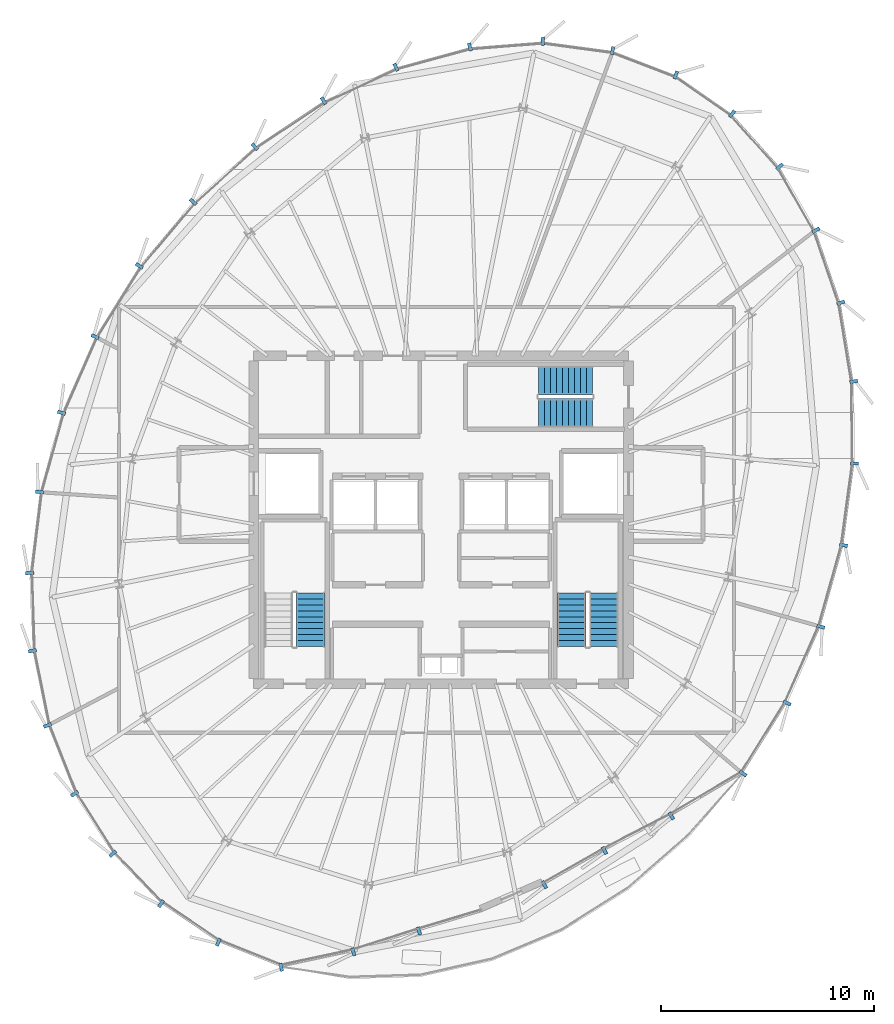
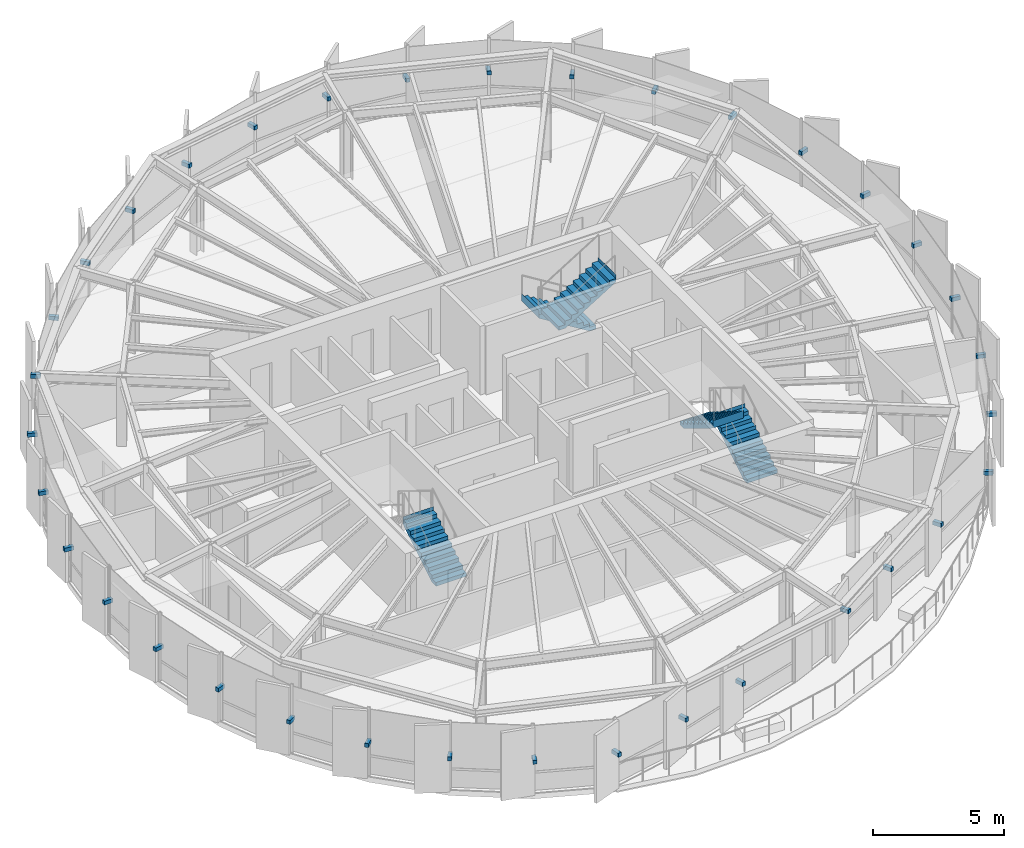
# One storey, part 27 of 31: 35 discrete accessories, 5 stair flights, 3 elements without a shape of their own.
"""IFC4 building model written with IfcOpenShell, lengths in metres."""

from ifc_helpers import new_model, si_unit, direction, frame, origin, origin_2d, place, context, subcontext, project, spatial, polyline, rectangle, outline, extrude, source, transform, mapped, material, type_object, element, aggregate, save


model = new_model("IFC4")

# Units and contexts
model_context = context("Model", 3, precision=1e-05, world=origin(), true_north=direction((0.0, 1.0)))
body_context = subcontext(model_context, "Body", "Model", "MODEL_VIEW")
ifc_project = project(units=[si_unit("LENGTHUNIT", "METRE"), si_unit("AREAUNIT", "SQUARE_METRE"), si_unit("VOLUMEUNIT", "CUBIC_METRE"), si_unit("PLANEANGLEUNIT", "RADIAN"), si_unit("MASSUNIT", "GRAM", prefix="KILO"), si_unit("THERMODYNAMICTEMPERATUREUNIT", "KELVIN")], contexts=[model_context])

# Site, building, storey
site_placement = place(None, origin())
site = spatial("IfcSite", under=ifc_project, at=site_placement, CompositionType="ELEMENT")
building_placement = place(site_placement, origin())
building = spatial("IfcBuilding", under=site, at=building_placement, Name="Kethvar Cultural Tower", CompositionType="ELEMENT")
storey_placement = place(building_placement, frame((0.0, 0.0, 283.60009765625)))
storey = spatial("IfcBuildingStorey", under=building, at=storey_placement, Name="L75", CompositionType="ELEMENT", Elevation=283.60009765625)

# Stair, stair flight
ifc_material_1 = material(Name="Concrete C40/50", Category="concrete")
stair_type = type_object("IfcStairType", Name="ST-DOGLEG-135", PredefinedType="HALF_TURN_STAIR", material=ifc_material_1)
stair_1_placement = place(storey_placement, origin())
stair_1 = element("IfcStair", 1, at=stair_1_placement, inside=storey, type_object=stair_type, Name="L75 Core Exit Stair 1", PredefinedType="HALF_TURN_STAIR")
stair_flight_type = type_object("IfcStairFlightType", Name="FL-STRAIGHT-135", PredefinedType="STRAIGHT", material=ifc_material_1)
stair_flight_1_placement = place(storey_placement, frame((40.675048828125, 21.85009765625, 0.0), z_axis=(0.0, 0.0, 1.0), x_axis=(0.0, 1.0, 0.0)))
stair_flight_1 = element("IfcStairFlight", 2, at=stair_flight_1_placement, type_object=stair_flight_type, Name="ST-01 flight 1", NumberOfRisers=10, NumberOfTreads=9, PredefinedType="STRAIGHT", RiserHeight=0.1725, TreadLength=0.28, context=body_context, shape_type="SweptSolid", body=[
    extrude(outline(polyline([(-0.0009765625, -0.0009765625), (-0.0009765625, 0.172607421875), (0.280029296875, 0.172607421875), (0.280029296875, 0.344970703125), (0.56005859375, 0.344970703125), (0.56005859375, 0.517578125), (0.840087890625, 0.517578125), (0.840087890625, 0.68994140625), (1.1201171875, 0.68994140625), (1.1201171875, 0.862548828125), (1.39990234375, 0.862548828125), (1.39990234375, 1.034912109375), (1.679931640625, 1.034912109375), (1.679931640625, 1.20751953125), (1.9599609375, 1.20751953125), (1.9599609375, 1.3798828125), (2.239990234375, 1.3798828125), (2.239990234375, 1.552490234375), (2.52001953125, 1.552490234375), (2.52001953125, 1.72509765625), (2.52099609375, 1.72509765625), (2.52099609375, 1.37646484375), (0.285888671875, 0.0), (0.0, -0.0009765625), (-0.0009765625, -0.0009765625)])), frame((0.0, 0.675048828125, 0.0), z_axis=(0.0, -1.0, 0.0), x_axis=(1.0, 0.0, 0.0)), (0.0, 0.0, 1.0), 1.35009765625),
])
aggregate(stair_1, [stair_flight_1])

# Stair, stair flights
stair_2_placement = place(storey_placement, origin())
stair_2 = element("IfcStair", 3, at=stair_2_placement, inside=storey, type_object=stair_type, Name="L75 Core Exit Stair 2", PredefinedType="HALF_TURN_STAIR")
stair_flight_2_placement = place(storey_placement, frame((54.43505859375, 21.85009765625, 0.0), z_axis=(0.0, 0.0, 1.0), x_axis=(0.0, 1.0, 0.0)))
stair_flight_2 = element("IfcStairFlight", 4, at=stair_flight_2_placement, type_object=stair_flight_type, Name="ST-02 flight 1", NumberOfRisers=10, NumberOfTreads=9, PredefinedType="STRAIGHT", RiserHeight=0.1725, TreadLength=0.28, context=body_context, shape_type="SweptSolid", body=[
    extrude(outline(polyline([(-0.0009765625, -0.0009765625), (-0.0009765625, 0.172607421875), (0.280029296875, 0.172607421875), (0.280029296875, 0.344970703125), (0.56005859375, 0.344970703125), (0.56005859375, 0.517578125), (0.840087890625, 0.517578125), (0.840087890625, 0.68994140625), (1.1201171875, 0.68994140625), (1.1201171875, 0.862548828125), (1.39990234375, 0.862548828125), (1.39990234375, 1.034912109375), (1.679931640625, 1.034912109375), (1.679931640625, 1.20751953125), (1.9599609375, 1.20751953125), (1.9599609375, 1.3798828125), (2.239990234375, 1.3798828125), (2.239990234375, 1.552490234375), (2.52001953125, 1.552490234375), (2.52001953125, 1.72509765625), (2.52099609375, 1.72509765625), (2.52099609375, 1.37646484375), (0.285888671875, 0.0), (0.0, -0.0009765625), (-0.0009765625, -0.0009765625)])), frame((0.0, 0.675048828125, 0.0), z_axis=(0.0, -1.0, 0.0), x_axis=(1.0, 0.0, 0.0)), (0.0, 0.0, 1.0), 1.35009765625),
])
stair_flight_3_placement = place(storey_placement, frame((52.925048828125, 24.3701171875, 1.724853515625), z_axis=(0.0, 0.0, 1.0), x_axis=(0.0, -1.0, 0.0)))
stair_flight_3 = element("IfcStairFlight", 5, at=stair_flight_3_placement, type_object=stair_flight_type, Name="ST-02 flight 2", NumberOfRisers=10, NumberOfTreads=9, PredefinedType="STRAIGHT", RiserHeight=0.1725, TreadLength=0.28, context=body_context, shape_type="SweptSolid", body=[
    extrude(outline(polyline([(-0.0009765625, -0.0009765625), (-0.0009765625, 0.172607421875), (0.280029296875, 0.172607421875), (0.280029296875, 0.344970703125), (0.56005859375, 0.344970703125), (0.56005859375, 0.517578125), (0.840087890625, 0.517578125), (0.840087890625, 0.68994140625), (1.1201171875, 0.68994140625), (1.1201171875, 0.862548828125), (1.39990234375, 0.862548828125), (1.39990234375, 1.034912109375), (1.679931640625, 1.034912109375), (1.679931640625, 1.20751953125), (1.9599609375, 1.20751953125), (1.9599609375, 1.3798828125), (2.239990234375, 1.3798828125), (2.239990234375, 1.552490234375), (2.52001953125, 1.552490234375), (2.52001953125, 1.72509765625), (2.52099609375, 1.72509765625), (2.52099609375, 1.37646484375), (0.285888671875, 0.0), (0.0, -0.0009765625), (-0.0009765625, -0.0009765625)])), frame((0.0, 0.675048828125, 0.0), z_axis=(0.0, -1.0, 0.0), x_axis=(1.0, 0.0, 0.0)), (0.0, 0.0, 1.0), 1.35009765625),
])
aggregate(stair_2, [stair_flight_2, stair_flight_3])

stair_3_placement = place(storey_placement, origin())
stair_3 = element("IfcStair", 6, at=stair_3_placement, inside=storey, type_object=stair_type, Name="L75 Core Exit Stair 3", PredefinedType="HALF_TURN_STAIR")
stair_flight_4_placement = place(storey_placement, frame((53.89990234375, 34.3349609375, 0.0), z_axis=(0.0, 0.0, 1.0), x_axis=(-1.0, 0.0, 0.0)))
stair_flight_4 = element("IfcStairFlight", 7, at=stair_flight_4_placement, type_object=stair_flight_type, Name="ST-03 flight 1", NumberOfRisers=10, NumberOfTreads=9, PredefinedType="STRAIGHT", RiserHeight=0.1725, TreadLength=0.28, context=body_context, shape_type="SweptSolid", body=[
    extrude(outline(polyline([(-0.0009765625, -0.0009765625), (-0.0009765625, 0.172607421875), (0.280029296875, 0.172607421875), (0.280029296875, 0.344970703125), (0.56005859375, 0.344970703125), (0.56005859375, 0.517578125), (0.840087890625, 0.517578125), (0.840087890625, 0.68994140625), (1.1201171875, 0.68994140625), (1.1201171875, 0.862548828125), (1.39990234375, 0.862548828125), (1.39990234375, 1.034912109375), (1.679931640625, 1.034912109375), (1.679931640625, 1.20751953125), (1.9599609375, 1.20751953125), (1.9599609375, 1.3798828125), (2.239990234375, 1.3798828125), (2.239990234375, 1.552490234375), (2.52001953125, 1.552490234375), (2.52001953125, 1.72509765625), (2.52099609375, 1.72509765625), (2.52099609375, 1.37646484375), (0.285888671875, 0.0), (0.0, -0.0009765625), (-0.0009765625, -0.0009765625)])), frame((0.0, 0.675048828125, 0.0), z_axis=(0.0, -1.0, 0.0), x_axis=(1.0, 0.0, 0.0)), (0.0, 0.0, 1.0), 1.35009765625),
])
stair_flight_5_placement = place(storey_placement, frame((51.3798828125, 32.824951171875, 1.724853515625), z_axis=(0.0, 0.0, 1.0), x_axis=(1.0, 0.0, 0.0)))
stair_flight_5 = element("IfcStairFlight", 8, at=stair_flight_5_placement, type_object=stair_flight_type, Name="ST-03 flight 2", NumberOfRisers=10, NumberOfTreads=9, PredefinedType="STRAIGHT", RiserHeight=0.1725, TreadLength=0.28, context=body_context, shape_type="SweptSolid", body=[
    extrude(outline(polyline([(-0.0009765625, -0.0009765625), (-0.0009765625, 0.172607421875), (0.280029296875, 0.172607421875), (0.280029296875, 0.344970703125), (0.56005859375, 0.344970703125), (0.56005859375, 0.517578125), (0.840087890625, 0.517578125), (0.840087890625, 0.68994140625), (1.1201171875, 0.68994140625), (1.1201171875, 0.862548828125), (1.39990234375, 0.862548828125), (1.39990234375, 1.034912109375), (1.679931640625, 1.034912109375), (1.679931640625, 1.20751953125), (1.9599609375, 1.20751953125), (1.9599609375, 1.3798828125), (2.239990234375, 1.3798828125), (2.239990234375, 1.552490234375), (2.52001953125, 1.552490234375), (2.52001953125, 1.72509765625), (2.52099609375, 1.72509765625), (2.52099609375, 1.37646484375), (0.285888671875, 0.0), (0.0, -0.0009765625), (-0.0009765625, -0.0009765625)])), frame((0.0, 0.675048828125, 0.0), z_axis=(0.0, -1.0, 0.0), x_axis=(1.0, 0.0, 0.0)), (0.0, 0.0, 1.0), 1.35009765625),
])
aggregate(stair_3, [stair_flight_4, stair_flight_5])

# Discrete accessories
ifc_material_2 = material(Name="Steel S355J2", Category="steel")
discrete_accessory_type = type_object("IfcDiscreteAccessoryType", Name="Steel Fin Bracket BRK-01", PredefinedType="BRACKET", material=ifc_material_2)
shared_shape = source(origin(), body_context, "Body", "SweptSolid", [
    extrude(rectangle(XDim=0.3798828125, YDim=0.159912109375, at=origin_2d()), origin(), (0.0, 0.0, 1.0), 0.179931640625),
])
for number, where, z_axis, x_axis, name in (
    (9, (57.818359375, 48.688720703125, 1.51513671875), (0.0, 0.0, 1.0), (0.358530884609, 0.933517865272, 0.0), "L75 Terracotta Fin Bracket 1.1"),
    (10, (54.849609375, 49.82861328125, 1.51513671875), (0.0, 0.0, 1.0), (0.133813224182, 0.991006569622, 0.0), "L75 Terracotta Fin Bracket 1.2"),
    (11, (51.5810546875, 50.26953125, 1.51513671875), (0.0, 0.0, 1.0), (-0.078111101158, 0.996944660388, 0.0), "L75 Terracotta Fin Bracket 1.3"),
    (12, (48.15283203125, 50.00048828125, 1.51513671875), (0.0, 0.0, 1.0), (-0.263536339841, 0.964649468762, 0.0), "L75 Terracotta Fin Bracket 1.4"),
    (13, (44.680908203125, 49.052001953125, 1.51513671875), (0.0, 0.0, 1.0), (-0.420719169633, 0.907190928252, 0.0), "L75 Terracotta Fin Bracket 1.5"),
    (14, (41.283447265625, 47.47607421875, 1.51513671875), (0.0, 0.0, 1.0), (-0.553682259884, 0.832728019878, 0.0), "L75 Terracotta Fin Bracket 1.6"),
    (15, (38.048095703125, 45.319091796875, 1.51513671875), (0.0, 0.0, 1.0), (-0.667312765281, 0.744777599887, 0.0), "L75 Terracotta Fin Bracket 2.1"),
    (16, (35.16015625, 42.731201171875, 1.51513671875), (0.0, 0.0, 1.0), (-0.765146195875, 0.643856582585, 0.0), "L75 Terracotta Fin Bracket 2.2"),
    (17, (32.6298828125, 39.72412109375, 1.51513671875), (0.0, 0.0, 1.0), (-0.848140571599, 0.529771243848, 0.0), "L75 Terracotta Fin Bracket 2.3"),
    (18, (30.554443359375, 36.400634765625, 1.51513671875), (0.0, 0.0, 1.0), (-0.91495966785, 0.403545296352, 0.0), "L75 Terracotta Fin Bracket 2.4"),
    (19, (28.979736328125, 32.82958984375, 1.51513671875), (0.0, 0.0, 1.0), (-0.963583796636, 0.267406557249, 0.0), "L75 Terracotta Fin Bracket 2.5"),
    (20, (27.9462890625, 29.10546875, 1.51513671875), (0.0, 0.0, 1.0), (-0.992588631597, 0.121522872021, 0.0), "L75 Terracotta Fin Bracket 2.6"),
    (21, (27.48681640625, 25.305908203125, 1.51513671875), (0.0, 0.0, 1.0), (-0.999414947917, -0.034201781837, 0.0), "L75 Terracotta Fin Bracket 3.1"),
    (22, (27.61181640625, 21.652587890625, 1.51513671875), (0.0, 0.0, 1.0), (-0.980132944892, -0.198341650538, 0.0), "L75 Terracotta Fin Bracket 3.2"),
    (23, (28.32080078125, 18.14990234375, 1.51513671875), (0.0, 0.0, 1.0), (-0.929776485888, -0.368124552685, 0.0), "L75 Terracotta Fin Bracket 3.3"),
    (24, (29.591552734375, 14.9404296875, 1.51513671875), (0.0, 0.0, 1.0), (-0.843672659607, -0.536857935987, 0.0), "L75 Terracotta Fin Bracket 3.4"),
    (25, (31.38525390625, 12.121826171875, 1.51513671875), (0.0, 0.0, 1.0), (-0.719339800339, -0.694658370459, 0.0), "L75 Terracotta Fin Bracket 3.5"),
    (26, (33.647705078125, 9.779541015625, 1.51513671875), (0.0, 0.0, 1.0), (-0.559048200602, -0.829135157501, 0.0), "L75 Terracotta Fin Bracket 3.6"),
    (27, (36.3427734375, 7.971435546875, 1.51513671875), (0.0, 0.0, 1.0), (-0.371529881241, -0.928420996825, 0.0), "L75 Terracotta Fin Bracket 4.1"),
    (28, (39.294189453125, 6.792236328125, 1.51513671875), (0.0, 0.0, 1.0), (0.209789215079, -0.977746636525, 0.0), "L75 Terracotta Fin Bracket 4.2"),
    (29, (42.6796875, 7.51904296875, 1.51513671875), (0.0, 0.0, 1.0), (0.303534206887, -0.952820541996, 0.0), "L75 Terracotta Fin Bracket 4.3"),
    (30, (45.760009765625, 8.5, 1.51513671875), (0.0, 0.0, 1.0), (0.288530506031, -0.957470702993, 0.0), "L75 Terracotta Fin Bracket 4.4"),
    (31, (51.64892578125, 10.669921875, 1.51513671875), (0.0, 0.0, 1.0), (0.493941866584, -0.869494929505, 0.0), "L75 Terracotta Fin Bracket 5.1"),
    (32, (54.473388671875, 12.274658203125, 1.51513671875), (0.0, 0.0, 1.0), (0.459734862673, -0.888056223469, 0.0), "L75 Terracotta Fin Bracket 5.2"),
    (33, (57.609130859375, 13.898193359375, 1.51513671875), (0.0, 0.0, 1.0), (0.508590662521, -0.861008442465, 0.0), "L75 Terracotta Fin Bracket 5.3"),
    (34, (60.977294921875, 15.889404296875, 1.51513671875), (0.0, 0.0, 1.0), (0.848048096156, -0.529919264233, 0.0), "L75 Terracotta Fin Bracket 5.4"),
    (35, (63.04541015625, 19.19921875, 1.51513671875), (0.0, 0.0, 1.0), (0.914889221974, -0.403704980793, 0.0), "L75 Terracotta Fin Bracket 5.5"),
    (36, (64.62744140625, 22.78369140625, 1.51513671875), (0.0, 0.0, 1.0), (0.962597230403, -0.270936472296, 0.0), "L75 Terracotta Fin Bracket 5.6"),
    (37, (65.697021484375, 26.602294921875, 1.51513671875), (0.0, 0.0, 1.0), (0.991076498214, -0.133294316036, 0.0), "L75 Terracotta Fin Bracket 6.1"),
    (38, (66.2138671875, 30.445556640625, 1.51513671875), (0.0, 0.0, 1.0), (0.999948763788, 0.010122736774, 0.0), "L75 Terracotta Fin Bracket 6.2"),
    (39, (66.17431640625, 34.29833984375, 1.51513671875), (0.0, 0.0, 1.0), (0.98679924591, 0.161948288881, 0.0), "L75 Terracotta Fin Bracket 6.3"),
    (40, (65.56787109375, 37.994384765625, 1.51513671875), (0.0, 0.0, 1.0), (0.945972232682, 0.324247644548, 0.0), "L75 Terracotta Fin Bracket 6.4"),
    (41, (64.400634765625, 41.399169921875, 1.51513671875), (0.0, 0.0, 1.0), (0.86845851382, 0.495761847839, 0.0), "L75 Terracotta Fin Bracket 6.5"),
    (42, (62.695556640625, 44.385498046875, 1.51513671875), (0.0, 0.0, 1.0), (0.744428093663, 0.667702638429, 0.0), "L75 Terracotta Fin Bracket 6.6"),
    (43, (60.463623046875, 46.861572265625, 1.51513671875), (0.0, 0.0, 1.0), (0.570570241419, 0.821248804935, 0.0), "L75 Terracotta Fin Bracket 7.1"),
):
    element("IfcDiscreteAccessory", number, at=place(storey_placement, frame(where, z_axis=z_axis, x_axis=x_axis)), inside=storey, type_object=discrete_accessory_type, Name=name, PredefinedType="BRACKET", context=body_context, shape_type="MappedRepresentation", body=[
        mapped(shared_shape, transform((0.0, 0.0, 0.0), scale=1.0)),
    ])

save(model, "model.ifc")
